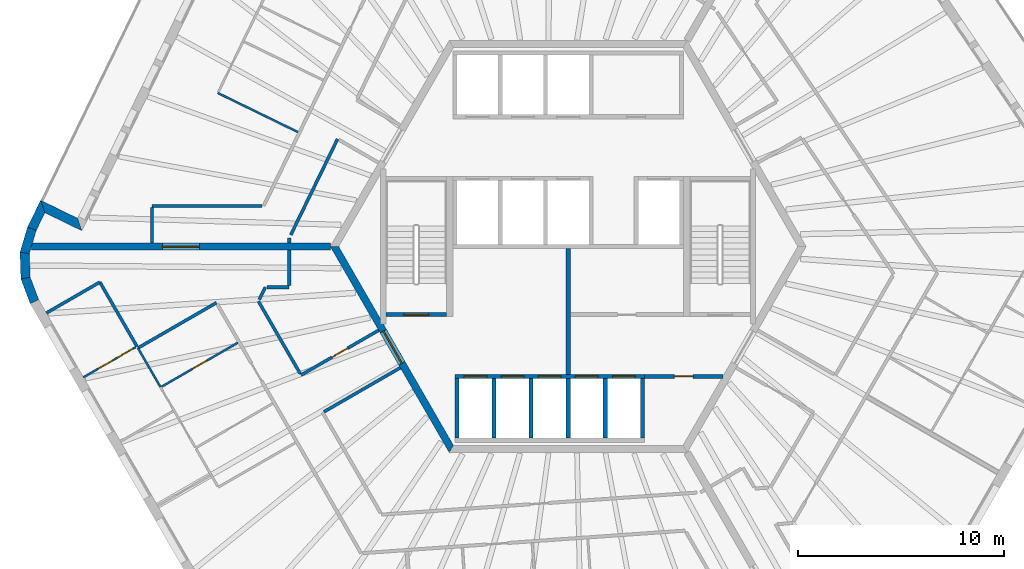
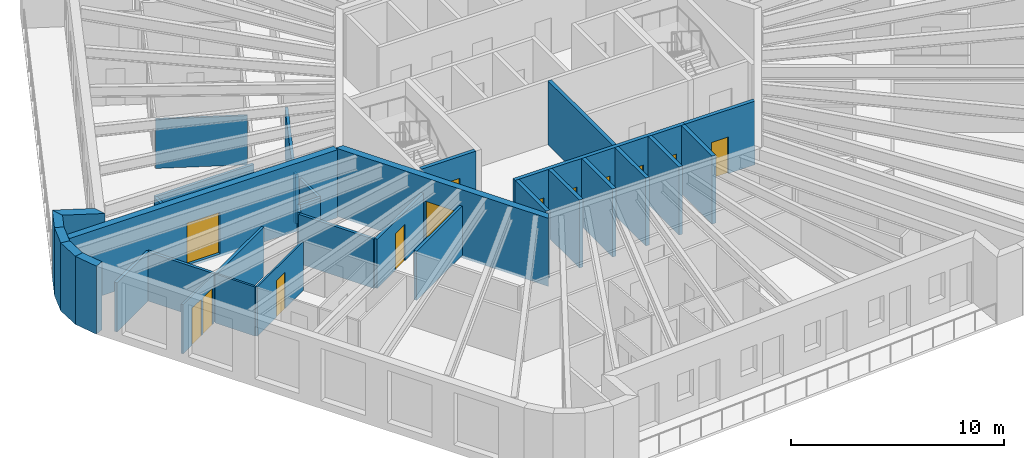
# One storey, part 4 of 11: 34 walls, 13 doors, 13 openings.
"""IFC4 building model written with IfcOpenShell, lengths in metres."""

from ifc_helpers import new_model, si_unit, direction, frame, frame_2d, origin, place, context, subcontext, project, spatial, polyline, rectangle, outline, extrude, material, layer, layer_set, type_object, element, fill, save


model = new_model("IFC4")

# Units and contexts
model_context = context("Model", 3, precision=1e-05, world=origin(), true_north=direction((0.0, 1.0)))
body_context = subcontext(model_context, "Body", "Model", "MODEL_VIEW")
ifc_project = project(units=[si_unit("LENGTHUNIT", "METRE"), si_unit("AREAUNIT", "SQUARE_METRE"), si_unit("VOLUMEUNIT", "CUBIC_METRE"), si_unit("PLANEANGLEUNIT", "RADIAN"), si_unit("MASSUNIT", "GRAM", prefix="KILO")], contexts=[model_context])

# Site, building, storey
site_placement = place(None, origin())
site = spatial("IfcSite", under=ifc_project, at=site_placement, CompositionType="ELEMENT")
building_placement = place(site_placement, origin())
building = spatial("IfcBuilding", under=site, at=building_placement, Name="Tarnside Tower", CompositionType="ELEMENT")
storey_placement = place(building_placement, frame((0.0, 0.0, 365.10009765625)))
storey = spatial("IfcBuildingStorey", under=building, at=storey_placement, Name="L88", CompositionType="ELEMENT", Elevation=365.10009765625)

# Wall, opening, door
ifc_material_1 = material(Name="Gypsum board partition on steel studs", Category="steel")
ifc_layer_1 = layer(ifc_material_1, 0.10009765625)
ifc_layer_set_1 = layer_set([ifc_layer_1], Name="Bathroom wall 100")
wall_type_1 = type_object("IfcWallType", Name="Bathroom wall 100", PredefinedType="PARTITIONING", material=ifc_layer_set_1)
wall_1_placement = place(storey_placement, frame((-16.03857421875, -4.67041015625, 0.0), z_axis=(0.0, 0.0, 1.0), x_axis=(-0.86604270489, -0.499970032409, 0.0)))
wall_1 = element("IfcWall", 1, at=wall_1_placement, inside=storey, type_object=wall_type_1, Name="Bathroom wall 28107", PredefinedType="PARTITIONING", context=body_context, shape_type="SweptSolid", body=[
    extrude(rectangle(XDim=4.324951171875, YDim=0.10009765625, at=frame_2d((2.16259765625, 0.0))), origin(), (0.0, 0.0, 1.0), 2.81982421875),
])
opening_1_placement = place(wall_1_placement, frame((1.72509765625, 0.0, 0.0)))
opening_1 = element("IfcOpeningElement", 2, at=opening_1_placement, cuts=wall_1, Name="Opening D-B1", PredefinedType="OPENING", context=body_context, shape_type="SweptSolid", body=[
    extrude(rectangle(XDim=0.800048828125, YDim=2.10009765625, at=frame_2d((0.39990234375, 1.050048828125))), frame((0.0, 0.06005859375, 0.0), z_axis=(0.0, -1.0, 0.0), x_axis=(1.0, 0.0, 0.0)), (0.0, 0.0, 1.0), 0.1201171875),
])
ifc_material_2 = material(Name="Timber door leaf", Category="wood")
door_type_1 = type_object("IfcDoorType", Name="Bathroom door 800", OperationType="NOTDEFINED", PredefinedType="DOOR", material=ifc_material_2)
door_1_placement = place(opening_1_placement, origin())
door_1 = element("IfcDoor", 3, at=door_1_placement, inside=storey, type_object=door_type_1, Name="Bathroom door 28027", OperationType="SINGLE_SWING_RIGHT", OverallHeight=2.10009765625, OverallWidth=0.800048828125, PredefinedType="DOOR", context=body_context, shape_type="SweptSolid", body=[
    extrude(rectangle(XDim=0.800048828125, YDim=2.10009765625, at=frame_2d((0.39990234375, 1.050048828125))), frame((0.0, 0.02490234375, 0.0), z_axis=(0.0, -1.0, 0.0), x_axis=(1.0, 0.0, 0.0)), (0.0, 0.0, 1.0), 0.050048828125),
])
fill(opening_1, door_1)

# Walls
wall_2_placement = place(storey_placement, frame((-20.88525390625, -4.92578125, 0.0), z_axis=(0.0, 0.0, 1.0), x_axis=(0.500039660922, -0.86600250433, 0.0)))
element("IfcWall", 4, at=wall_2_placement, inside=storey, type_object=wall_type_1, Name="Bathroom wall 28111", PredefinedType="PARTITIONING", context=body_context, shape_type="SweptSolid", body=[
    extrude(rectangle(XDim=2.154052734375, YDim=0.10009765625, at=frame_2d((1.0771484375, 0.0))), origin(), (0.0, 0.0, 1.0), 2.81982421875),
])
ifc_material_3 = material(Name="Concrete C40/50", Category="concrete")
ifc_layer_2 = layer(ifc_material_3, 0.199951171875)
ifc_layer_set_2 = layer_set([ifc_layer_2], Name="Core room partition 200 C40/50")
wall_type_2 = type_object("IfcWallType", Name="Core room partition 200 C40/50", PredefinedType="PARTITIONING", material=ifc_layer_set_2)
wall_3_placement = place(storey_placement, frame((0.0, -6.199951171875, 0.0), z_axis=(0.0, 0.0, 1.0), x_axis=(0.0, 1.0, 0.0)))
element("IfcWall", 5, at=wall_3_placement, inside=storey, type_object=wall_type_2, Name="L88 core partition X0", PredefinedType="PARTITIONING", context=body_context, shape_type="SweptSolid", body=[
    extrude(rectangle(XDim=6.099853515625, YDim=0.199951171875, at=frame_2d((3.0498046875, 0.0))), origin(), (0.0, 0.0, 1.0), 3.64990234375),
])

# Wall, opening, door
wall_4_placement = place(storey_placement, frame((3.699951171875, -6.300048828125, 0.0), z_axis=(0.0, 0.0, 1.0), x_axis=(1.0, 0.0, 0.0)))
wall_4 = element("IfcWall", 6, at=wall_4_placement, inside=storey, type_object=wall_type_2, Name="L88 core partition R4X", PredefinedType="PARTITIONING", context=body_context, shape_type="SweptSolid", body=[
    extrude(rectangle(XDim=3.8056640625, YDim=0.199951171875, at=frame_2d((1.90283203125, 0.0))), origin(), (0.0, 0.0, 1.0), 3.64990234375),
])
opening_2_placement = place(wall_4_placement, frame((1.452880859375, 0.0, 0.0)))
opening_2 = element("IfcOpeningElement", 7, at=opening_2_placement, cuts=wall_4, Name="Opening CD-room", PredefinedType="OPENING", context=body_context, shape_type="SweptSolid", body=[
    extrude(rectangle(XDim=0.89990234375, YDim=2.10009765625, at=frame_2d((0.449951171875, 1.050048828125))), frame((0.0, 0.10986328125, 0.0), z_axis=(0.0, -1.0, 0.0), x_axis=(1.0, 0.0, 0.0)), (0.0, 0.0, 1.0), 0.219970703125),
])
ifc_material_4 = material(Name="Steel fire door", Category="steel")
door_type_2 = type_object("IfcDoorType", Name="Room door FD60 900x2100", OperationType="NOTDEFINED", PredefinedType="DOOR", material=ifc_material_4)
door_2_placement = place(opening_2_placement, origin())
door_2 = element("IfcDoor", 8, at=door_2_placement, inside=storey, type_object=door_type_2, Name="L88 core room door RX", OperationType="SINGLE_SWING_LEFT", OverallHeight=2.10009765625, OverallWidth=0.89990234375, PredefinedType="DOOR", context=body_context, shape_type="SweptSolid", body=[
    extrude(rectangle(XDim=0.89990234375, YDim=2.10009765625, at=frame_2d((0.449951171875, 1.050048828125))), frame((0.0, 0.02490234375, 0.0), z_axis=(0.0, -1.0, 0.0), x_axis=(1.0, 0.0, 0.0)), (0.0, 0.0, 1.0), 0.050048828125),
])
fill(opening_2, door_2)

ifc_material_5 = material(Name="Concrete C50/60", Category="concrete")
ifc_layer_3 = layer(ifc_material_5, 0.35009765625)
ifc_layer_set_3 = layer_set([ifc_layer_3], Name="Core wall Z4 350 C50/60")
wall_type_3 = type_object("IfcWallType", Name="Core wall Z4 350 C50/60", PredefinedType="SHEAR", material=ifc_layer_set_3)
wall_5_placement = place(storey_placement, frame((-11.344970703125, 0.0, -0.150146484375), z_axis=(0.0, 0.0, 1.0), x_axis=(0.499995046907, -0.866028263435, 0.0)))
wall_5 = element("IfcWall", 9, at=wall_5_placement, inside=storey, type_object=wall_type_3, Name="L88 core wall face 3", PredefinedType="SHEAR", context=body_context, shape_type="SweptSolid", body=[
    extrude(outline(polyline([(-0.10107421875, -0.175048828125), (11.44580078125, -0.175048828125), (11.24365234375, 0.175048828125), (0.10107421875, 0.175048828125), (-0.10107421875, -0.175048828125)])), origin(), (0.0, 0.0, 1.0), 3.900146484375),
])
opening_3_placement = place(wall_5_placement, frame((4.74365234375, 0.0, 0.14990234375)))
opening_3 = element("IfcOpeningElement", 10, at=opening_3_placement, cuts=wall_5, Name="Opening CD-FFL", PredefinedType="OPENING", context=body_context, shape_type="SweptSolid", body=[
    extrude(rectangle(XDim=1.800048828125, YDim=2.39990234375, at=frame_2d((0.89990234375, 1.199951171875))), frame((0.0, 0.18505859375, 0.0), z_axis=(0.0, -1.0, 0.0), x_axis=(1.0, 0.0, 0.0)), (0.0, 0.0, 1.0), 0.3701171875),
])
door_type_3 = type_object("IfcDoorType", Name="Firefighting lobby double door FD60S 1800x2400", OperationType="NOTDEFINED", PredefinedType="DOOR", material=ifc_material_4)
door_3_placement = place(opening_3_placement, origin())
door_3 = element("IfcDoor", 11, at=door_3_placement, inside=storey, type_object=door_type_3, Name="L88 core door P3", OperationType="DOUBLE_DOOR_SINGLE_SWING", OverallHeight=2.39990234375, OverallWidth=1.800048828125, PredefinedType="DOOR", context=body_context, shape_type="SweptSolid", body=[
    extrude(rectangle(XDim=1.800048828125, YDim=2.39990234375, at=frame_2d((0.89990234375, 1.199951171875))), frame((0.0, 0.02490234375, 0.0), z_axis=(0.0, -1.0, 0.0), x_axis=(1.0, 0.0, 0.0)), (0.0, 0.0, 1.0), 0.050048828125),
])
fill(opening_3, door_3)

wall_6_placement = place(storey_placement, frame((-11.547119140625, 0.0, -0.150146484375), z_axis=(0.0, 0.0, 1.0), x_axis=(-1.0, 0.0, 0.0)))
wall_6 = element("IfcWall", 12, at=wall_6_placement, inside=storey, type_object=wall_type_3, Name="L88 spine wall 2", PredefinedType="SHEAR", context=body_context, shape_type="SweptSolid", body=[
    extrude(rectangle(XDim=14.510498046875, YDim=0.35009765625, at=frame_2d((7.25537109375, 0.0))), origin(), (0.0, 0.0, 1.0), 3.900146484375),
])
opening_4_placement = place(wall_6_placement, frame((6.355224609375, 0.0, 0.14990234375)))
opening_4 = element("IfcOpeningElement", 13, at=opening_4_placement, cuts=wall_6, Name="Opening CD-SPN", PredefinedType="OPENING", context=body_context, shape_type="SweptSolid", body=[
    extrude(rectangle(XDim=1.800048828125, YDim=2.39990234375, at=frame_2d((0.89990234375, 1.199951171875))), frame((0.0, 0.18505859375, 0.0), z_axis=(0.0, -1.0, 0.0), x_axis=(1.0, 0.0, 0.0)), (0.0, 0.0, 1.0), 0.3701171875),
])
door_type_4 = type_object("IfcDoorType", Name="Spine passage double door FD60 1800x2400", OperationType="NOTDEFINED", PredefinedType="DOOR", material=ifc_material_4)
door_4_placement = place(opening_4_placement, origin())
door_4 = element("IfcDoor", 14, at=door_4_placement, inside=storey, type_object=door_type_4, Name="L88 spine passage door 2", OperationType="DOUBLE_DOOR_SINGLE_SWING", OverallHeight=2.39990234375, OverallWidth=1.800048828125, PredefinedType="DOOR", context=body_context, shape_type="SweptSolid", body=[
    extrude(rectangle(XDim=1.800048828125, YDim=2.39990234375, at=frame_2d((0.89990234375, 1.199951171875))), frame((0.0, 0.02490234375, 0.0), z_axis=(0.0, -1.0, 0.0), x_axis=(1.0, 0.0, 0.0)), (0.0, 0.0, 1.0), 0.050048828125),
])
fill(opening_4, door_4)

# Walls
ifc_layer_4 = layer(ifc_material_1, 0.14990234375)
ifc_layer_set_4 = layer_set([ifc_layer_4], Name="Corridor wall 150 EI 60")
wall_type_4 = type_object("IfcWallType", Name="Corridor wall 150 EI 60", PredefinedType="PARTITIONING", material=ifc_layer_set_4)
wall_7_placement = place(storey_placement, frame((-14.863525390625, 1.97509765625, 0.0), z_axis=(0.0, 0.0, 1.0), x_axis=(-1.0, 0.0, 0.0)))
element("IfcWall", 15, at=wall_7_placement, inside=storey, type_object=wall_type_4, Name="Corridor wall 28011", PredefinedType="PARTITIONING", context=body_context, shape_type="SweptSolid", body=[
    extrude(rectangle(XDim=5.3388671875, YDim=0.14990234375, at=frame_2d((2.66943359375, 0.0))), origin(), (0.0, 0.0, 1.0), 2.81982421875),
])
wall_8_placement = place(storey_placement, frame((-20.202392578125, 1.89990234375, 0.0), z_axis=(0.0, 0.0, 1.0), x_axis=(0.0, -1.0, 0.0)))
element("IfcWall", 16, at=wall_8_placement, inside=storey, type_object=wall_type_4, Name="Corridor wall 28012", PredefinedType="PARTITIONING", context=body_context, shape_type="SweptSolid", body=[
    extrude(rectangle(XDim=1.724853515625, YDim=0.14990234375, at=frame_2d((0.8623046875, 0.0))), origin(), (0.0, 0.0, 1.0), 2.81982421875),
])
wall_9_placement = place(storey_placement, frame((-13.54052734375, 0.175048828125, 0.0), z_axis=(0.0, 0.0, 1.0), x_axis=(0.0, 1.0, 0.0)))
element("IfcWall", 17, at=wall_9_placement, inside=storey, type_object=wall_type_4, Name="Corridor wall 28017", PredefinedType="PARTITIONING", context=body_context, shape_type="SweptSolid", body=[
    extrude(rectangle(XDim=0.235107421875, YDim=0.14990234375, at=frame_2d((0.11767578125, 0.0))), origin(), (0.0, 0.0, 1.0), 2.81982421875),
])
wall_10_placement = place(storey_placement, frame((-13.465576171875, 0.563720703125, 0.0), z_axis=(0.0, 0.0, 1.0), x_axis=(0.438366040624, 0.898796536724, 0.0)))
element("IfcWall", 18, at=wall_10_placement, inside=storey, type_object=wall_type_4, Name="Corridor wall 28018", PredefinedType="PARTITIONING", context=body_context, shape_type="SweptSolid", body=[
    extrude(rectangle(XDim=5.178466796875, YDim=0.14990234375, at=frame_2d((2.58935546875, 0.0))), origin(), (0.0, 0.0, 1.0), 2.81982421875),
])
wall_11_placement = place(storey_placement, frame((-20.88427734375, -4.927490234375, 0.0), z_axis=(0.0, 0.0, 1.0), x_axis=(0.866032203192, 0.499988222896, 0.0)))
element("IfcWall", 19, at=wall_11_placement, inside=storey, type_object=wall_type_4, Name="Corridor wall 28029", PredefinedType="PARTITIONING", context=body_context, shape_type="SweptSolid", body=[
    extrude(rectangle(XDim=4.39990234375, YDim=0.14990234375, at=frame_2d((2.199951171875, 0.0))), origin(), (0.0, 0.0, 1.0), 2.81982421875),
])
wall_12_placement = place(storey_placement, frame((-25.3291015625, -3.228759765625, 0.0), z_axis=(0.0, 0.0, 1.0), x_axis=(0.865999837459, 0.50004427956, 0.0)))
element("IfcWall", 20, at=wall_12_placement, inside=storey, type_object=wall_type_4, Name="Corridor wall 28031", PredefinedType="PARTITIONING", context=body_context, shape_type="SweptSolid", body=[
    extrude(rectangle(XDim=2.998779296875, YDim=0.14990234375, at=frame_2d((1.49951171875, 0.0))), origin(), (0.0, 0.0, 1.0), 2.81982421875),
])
wall_13_placement = place(storey_placement, frame((-22.73046875, -1.729736328125, 0.0), z_axis=(0.0, 0.0, 1.0), x_axis=(0.500027802648, -0.866009351323, 0.0)))
element("IfcWall", 21, at=wall_13_placement, inside=storey, type_object=wall_type_4, Name="Corridor wall 28032", PredefinedType="PARTITIONING", context=body_context, shape_type="SweptSolid", body=[
    extrude(rectangle(XDim=3.598876953125, YDim=0.14990234375, at=frame_2d((1.79931640625, 0.0))), origin(), (0.0, 0.0, 1.0), 2.81982421875),
])

# Wall, opening, door
wall_14_placement = place(storey_placement, frame((-9.19970703125, -4.065673828125, 0.0), z_axis=(0.0, 0.0, 1.0), x_axis=(-0.866013608182, -0.500020430026, 0.0)))
wall_14 = element("IfcWall", 22, at=wall_14_placement, inside=storey, type_object=wall_type_4, Name="Corridor wall 28040", PredefinedType="PARTITIONING", context=body_context, shape_type="SweptSolid", body=[
    extrude(rectangle(XDim=4.349853515625, YDim=0.14990234375, at=frame_2d((2.1748046875, 0.0))), origin(), (0.0, 0.0, 1.0), 2.81982421875),
])
opening_5_placement = place(wall_14_placement, frame((1.72509765625, 0.0, 0.0)))
opening_5 = element("IfcOpeningElement", 23, at=opening_5_placement, cuts=wall_14, Name="Opening D-S1", PredefinedType="OPENING", context=body_context, shape_type="SweptSolid", body=[
    extrude(rectangle(XDim=0.89990234375, YDim=2.10009765625, at=frame_2d((0.449951171875, 1.050048828125))), frame((0.0, 0.0849609375, 0.0), z_axis=(0.0, -1.0, 0.0), x_axis=(1.0, 0.0, 0.0)), (0.0, 0.0, 1.0), 0.169921875),
])
door_type_5 = type_object("IfcDoorType", Name="Service room door 900 FD30S", OperationType="NOTDEFINED", PredefinedType="DOOR", material=ifc_material_2)
door_5_placement = place(opening_5_placement, origin())
door_5 = element("IfcDoor", 24, at=door_5_placement, inside=storey, type_object=door_type_5, Name="Service door 28065", OperationType="SINGLE_SWING_LEFT", OverallHeight=2.10009765625, OverallWidth=0.89990234375, PredefinedType="DOOR", context=body_context, shape_type="SweptSolid", body=[
    extrude(rectangle(XDim=0.89990234375, YDim=2.10009765625, at=frame_2d((0.449951171875, 1.050048828125))), frame((0.0, 0.02490234375, 0.0), z_axis=(0.0, -1.0, 0.0), x_axis=(1.0, 0.0, 0.0)), (0.0, 0.0, 1.0), 0.050048828125),
])
fill(opening_5, door_5)

# Walls
wall_15_placement = place(storey_placement, frame((-13.00439453125, -6.17578125, 0.0), z_axis=(0.0, 0.0, 1.0), x_axis=(-0.500022342669, 0.866012503854, 0.0)))
element("IfcWall", 25, at=wall_15_placement, inside=storey, type_object=wall_type_4, Name="Corridor wall 28041", PredefinedType="PARTITIONING", context=body_context, shape_type="SweptSolid", body=[
    extrude(rectangle(XDim=4.063720703125, YDim=0.14990234375, at=frame_2d((2.03173828125, 0.0))), origin(), (0.0, 0.0, 1.0), 2.81982421875),
])
wall_16_placement = place(storey_placement, frame((-14.99658203125, -2.5751953125, 0.0), z_axis=(0.0, 0.0, 1.0), x_axis=(0.438416427913, 0.898771959808, 0.0)))
element("IfcWall", 26, at=wall_16_placement, inside=storey, type_object=wall_type_4, Name="Corridor wall 28042", PredefinedType="PARTITIONING", context=body_context, shape_type="SweptSolid", body=[
    extrude(rectangle(XDim=0.667724609375, YDim=0.14990234375, at=frame_2d((0.333984375, 0.0))), origin(), (0.0, 0.0, 1.0), 2.81982421875),
])
wall_17_placement = place(storey_placement, frame((-14.620361328125, -1.97509765625, 0.0), z_axis=(0.0, 0.0, 1.0), x_axis=(1.0, 0.0, 0.0)))
element("IfcWall", 27, at=wall_17_placement, inside=storey, type_object=wall_type_4, Name="Corridor wall 28043", PredefinedType="PARTITIONING", context=body_context, shape_type="SweptSolid", body=[
    extrude(rectangle(XDim=1.079833984375, YDim=0.14990234375, at=frame_2d((0.5400390625, 0.0))), origin(), (0.0, 0.0, 1.0), 2.81982421875),
])
wall_18_placement = place(storey_placement, frame((-13.54052734375, -1.89990234375, 0.0), z_axis=(0.0, 0.0, 1.0), x_axis=(0.0, 1.0, 0.0)))
element("IfcWall", 28, at=wall_18_placement, inside=storey, type_object=wall_type_4, Name="Corridor wall 28044", PredefinedType="PARTITIONING", context=body_context, shape_type="SweptSolid", body=[
    extrude(rectangle(XDim=1.724853515625, YDim=0.14990234375, at=frame_2d((0.8623046875, 0.0))), origin(), (0.0, 0.0, 1.0), 2.81982421875),
])
wall_19_placement = place(storey_placement, frame((-11.85205078125, -8.021728515625, 0.0), z_axis=(0.0, 0.0, 1.0), x_axis=(0.866038183914, 0.499977863513, 0.0)))
element("IfcWall", 29, at=wall_19_placement, inside=storey, type_object=wall_type_4, Name="Corridor wall 28048", PredefinedType="PARTITIONING", context=body_context, shape_type="SweptSolid", body=[
    extrude(rectangle(XDim=4.275146484375, YDim=0.14990234375, at=frame_2d((2.1376953125, 0.0))), origin(), (0.0, 0.0, 1.0), 2.81982421875),
])

# Wall, openings, doors
ifc_layer_5 = layer(ifc_material_3, 0.199951171875)
ifc_layer_set_5 = layer_set([ifc_layer_5], Name="Lift shaft wall 200 C40/50")
wall_type_5 = type_object("IfcWallType", Name="Lift shaft wall 200 C40/50", PredefinedType="SHEAR", material=ifc_layer_set_5)
wall_20_placement = place(storey_placement, frame((-5.5, -6.300048828125, -0.25), z_axis=(0.0, 0.0, 1.0), x_axis=(1.0, 0.0, 0.0)))
wall_20 = element("IfcWall", 30, at=wall_20_placement, inside=storey, type_object=wall_type_5, Name="L88 lift shaft front wall R4", PredefinedType="SHEAR", context=body_context, shape_type="SweptSolid", body=[
    extrude(rectangle(XDim=9.199951171875, YDim=0.199951171875, at=frame_2d((4.60009765625, 0.0))), origin(), (0.0, 0.0, 1.0), 3.89990234375),
])
opening_6_placement = place(wall_20_placement, frame((0.449951171875, 0.0, 0.25)))
opening_6 = element("IfcOpeningElement", 31, at=opening_6_placement, cuts=wall_20, Name="Opening LDF", PredefinedType="OPENING", context=body_context, shape_type="SweptSolid", body=[
    extrude(rectangle(XDim=1.10009765625, YDim=2.10009765625, at=frame_2d((0.550048828125, 1.050048828125))), frame((0.0, 0.10986328125, 0.0), z_axis=(0.0, -1.0, 0.0), x_axis=(1.0, 0.0, 0.0)), (0.0, 0.0, 1.0), 0.219970703125),
])
opening_7_placement = place(wall_20_placement, frame((2.25, 0.0, 0.25)))
opening_7 = element("IfcOpeningElement", 32, at=opening_7_placement, cuts=wall_20, Name="Opening LDF", PredefinedType="OPENING", context=body_context, shape_type="SweptSolid", body=[
    extrude(rectangle(XDim=1.10009765625, YDim=2.10009765625, at=frame_2d((0.550048828125, 1.050048828125))), frame((0.0, 0.10986328125, 0.0), z_axis=(0.0, -1.0, 0.0), x_axis=(1.0, 0.0, 0.0)), (0.0, 0.0, 1.0), 0.219970703125),
])
opening_8_placement = place(wall_20_placement, frame((4.050048828125, 0.0, 0.25)))
opening_8 = element("IfcOpeningElement", 33, at=opening_8_placement, cuts=wall_20, Name="Opening LDF", PredefinedType="OPENING", context=body_context, shape_type="SweptSolid", body=[
    extrude(rectangle(XDim=1.10009765625, YDim=2.10009765625, at=frame_2d((0.550048828125, 1.050048828125))), frame((0.0, 0.10986328125, 0.0), z_axis=(0.0, -1.0, 0.0), x_axis=(1.0, 0.0, 0.0)), (0.0, 0.0, 1.0), 0.219970703125),
])
opening_9_placement = place(wall_20_placement, frame((5.85009765625, 0.0, 0.25)))
opening_9 = element("IfcOpeningElement", 34, at=opening_9_placement, cuts=wall_20, Name="Opening LDF", PredefinedType="OPENING", context=body_context, shape_type="SweptSolid", body=[
    extrude(rectangle(XDim=1.10009765625, YDim=2.10009765625, at=frame_2d((0.550048828125, 1.050048828125))), frame((0.0, 0.10986328125, 0.0), z_axis=(0.0, -1.0, 0.0), x_axis=(1.0, 0.0, 0.0)), (0.0, 0.0, 1.0), 0.219970703125),
])
opening_10_placement = place(wall_20_placement, frame((7.64990234375, 0.0, 0.25)))
opening_10 = element("IfcOpeningElement", 35, at=opening_10_placement, cuts=wall_20, Name="Opening LDF", PredefinedType="OPENING", context=body_context, shape_type="SweptSolid", body=[
    extrude(rectangle(XDim=1.10009765625, YDim=2.10009765625, at=frame_2d((0.550048828125, 1.050048828125))), frame((0.0, 0.10986328125, 0.0), z_axis=(0.0, -1.0, 0.0), x_axis=(1.0, 0.0, 0.0)), (0.0, 0.0, 1.0), 0.219970703125),
])
ifc_material_6 = material(Name="Stainless steel", Category="steel")
door_type_6 = type_object("IfcDoorType", Name="Lift landing door 1100x2100 EI 120", OperationType="NOTDEFINED", PredefinedType="DOOR", material=ifc_material_6)
door_6_placement = place(opening_6_placement, origin())
door_6 = element("IfcDoor", 36, at=door_6_placement, inside=storey, type_object=door_type_6, Name="Firefighting lift 1 landing door L88", OperationType="SLIDING_TO_LEFT", OverallHeight=2.10009765625, OverallWidth=1.10009765625, PredefinedType="DOOR", context=body_context, shape_type="SweptSolid", body=[
    extrude(rectangle(XDim=1.10009765625, YDim=2.10009765625, at=frame_2d((0.550048828125, 1.050048828125))), frame((0.0, 0.02490234375, 0.0), z_axis=(0.0, -1.0, 0.0), x_axis=(1.0, 0.0, 0.0)), (0.0, 0.0, 1.0), 0.050048828125),
])
fill(opening_6, door_6)
door_7_placement = place(opening_7_placement, origin())
door_7 = element("IfcDoor", 37, at=door_7_placement, inside=storey, type_object=door_type_6, Name="Firefighting lift 2 landing door L88", OperationType="SLIDING_TO_LEFT", OverallHeight=2.10009765625, OverallWidth=1.10009765625, PredefinedType="DOOR", context=body_context, shape_type="SweptSolid", body=[
    extrude(rectangle(XDim=1.10009765625, YDim=2.10009765625, at=frame_2d((0.550048828125, 1.050048828125))), frame((0.0, 0.02490234375, 0.0), z_axis=(0.0, -1.0, 0.0), x_axis=(1.0, 0.0, 0.0)), (0.0, 0.0, 1.0), 0.050048828125),
])
fill(opening_7, door_7)
door_8_placement = place(opening_8_placement, origin())
door_8 = element("IfcDoor", 38, at=door_8_placement, inside=storey, type_object=door_type_6, Name="Firefighting lift 3 landing door L88", OperationType="SLIDING_TO_LEFT", OverallHeight=2.10009765625, OverallWidth=1.10009765625, PredefinedType="DOOR", context=body_context, shape_type="SweptSolid", body=[
    extrude(rectangle(XDim=1.10009765625, YDim=2.10009765625, at=frame_2d((0.550048828125, 1.050048828125))), frame((0.0, 0.02490234375, 0.0), z_axis=(0.0, -1.0, 0.0), x_axis=(1.0, 0.0, 0.0)), (0.0, 0.0, 1.0), 0.050048828125),
])
fill(opening_8, door_8)
door_9_placement = place(opening_9_placement, origin())
door_9 = element("IfcDoor", 39, at=door_9_placement, inside=storey, type_object=door_type_6, Name="Firefighting lift 4 landing door L88", OperationType="SLIDING_TO_LEFT", OverallHeight=2.10009765625, OverallWidth=1.10009765625, PredefinedType="DOOR", context=body_context, shape_type="SweptSolid", body=[
    extrude(rectangle(XDim=1.10009765625, YDim=2.10009765625, at=frame_2d((0.550048828125, 1.050048828125))), frame((0.0, 0.02490234375, 0.0), z_axis=(0.0, -1.0, 0.0), x_axis=(1.0, 0.0, 0.0)), (0.0, 0.0, 1.0), 0.050048828125),
])
fill(opening_9, door_9)
door_10_placement = place(opening_10_placement, origin())
door_10 = element("IfcDoor", 40, at=door_10_placement, inside=storey, type_object=door_type_6, Name="Firefighting lift 5 landing door L88", OperationType="SLIDING_TO_LEFT", OverallHeight=2.10009765625, OverallWidth=1.10009765625, PredefinedType="DOOR", context=body_context, shape_type="SweptSolid", body=[
    extrude(rectangle(XDim=1.10009765625, YDim=2.10009765625, at=frame_2d((0.550048828125, 1.050048828125))), frame((0.0, 0.02490234375, 0.0), z_axis=(0.0, -1.0, 0.0), x_axis=(1.0, 0.0, 0.0)), (0.0, 0.0, 1.0), 0.050048828125),
])
fill(opening_10, door_10)

# Walls
for number, where, z_axis, x_axis, name in (
    (41, (-5.39990234375, -9.300048828125, -0.25), (0.0, 0.0, 1.0), (0.0, 1.0, 0.0), "L88 lift shaft partition R41"),
    (42, (-3.60009765625, -9.300048828125, -0.25), (0.0, 0.0, 1.0), (0.0, 1.0, 0.0), "L88 lift shaft partition R42"),
    (43, (-1.800048828125, -9.300048828125, -0.25), (0.0, 0.0, 1.0), (0.0, 1.0, 0.0), "L88 lift shaft partition R43"),
    (44, (0.0, -9.300048828125, -0.25), (0.0, 0.0, 1.0), (0.0, 1.0, 0.0), "L88 lift shaft partition R44"),
    (45, (1.800048828125, -9.300048828125, -0.25), (0.0, 0.0, 1.0), (0.0, 1.0, 0.0), "L88 lift shaft partition R45"),
    (46, (3.60009765625, -9.300048828125, -0.25), (0.0, 0.0, 1.0), (0.0, 1.0, 0.0), "L88 lift shaft partition R46"),
):
    element("IfcWall", number, at=place(storey_placement, frame(where, z_axis=z_axis, x_axis=x_axis)), inside=storey, type_object=wall_type_5, Name=name, PredefinedType="SHEAR", context=body_context, shape_type="SweptSolid", body=[
        extrude(rectangle(XDim=2.900146484375, YDim=0.199951171875, at=frame_2d((1.4501953125, 0.0))), origin(), (0.0, 0.0, 1.0), 3.89990234375),
    ])

# Wall, opening, door
wall_21_placement = place(storey_placement, frame((-8.85009765625, -3.300048828125, -0.25), z_axis=(0.0, 0.0, 1.0), x_axis=(1.0, 0.0, 0.0)))
wall_21 = element("IfcWall", 47, at=wall_21_placement, inside=storey, type_object=wall_type_5, Name="L88 stair 2 enclosure cap wall s", PredefinedType="SHEAR", context=body_context, shape_type="SweptSolid", body=[
    extrude(rectangle(XDim=2.9501953125, YDim=0.199951171875, at=frame_2d((1.47509765625, 0.0))), origin(), (0.0, 0.0, 1.0), 3.89990234375),
])
opening_11_placement = place(wall_21_placement, frame((0.875, 0.0, 0.25)))
opening_11 = element("IfcOpeningElement", 48, at=opening_11_placement, cuts=wall_21, Name="Opening CD-STR", PredefinedType="OPENING", context=body_context, shape_type="SweptSolid", body=[
    extrude(rectangle(XDim=1.199951171875, YDim=2.39990234375, at=frame_2d((0.60009765625, 1.199951171875))), frame((0.0, 0.10986328125, 0.0), z_axis=(0.0, -1.0, 0.0), x_axis=(1.0, 0.0, 0.0)), (0.0, 0.0, 1.0), 0.219970703125),
])
door_type_7 = type_object("IfcDoorType", Name="Stair door FD60S 1200x2400", OperationType="NOTDEFINED", PredefinedType="DOOR", material=ifc_material_4)
door_11_placement = place(opening_11_placement, origin())
door_11 = element("IfcDoor", 49, at=door_11_placement, inside=storey, type_object=door_type_7, Name="L88 stair 2 door", OperationType="SINGLE_SWING_LEFT", OverallHeight=2.39990234375, OverallWidth=1.199951171875, PredefinedType="DOOR", context=body_context, shape_type="SweptSolid", body=[
    extrude(rectangle(XDim=1.199951171875, YDim=2.39990234375, at=frame_2d((0.60009765625, 1.199951171875))), frame((0.0, 0.02490234375, 0.0), z_axis=(0.0, -1.0, 0.0), x_axis=(1.0, 0.0, 0.0)), (0.0, 0.0, 1.0), 0.050048828125),
])
fill(opening_11, door_11)

# Walls
ifc_material_7 = material(Name="Dark zinc cladding")
ifc_layer_6 = layer(ifc_material_7, 0.10205078125)
ifc_material_8 = material(Name="Concrete C60/75 precast", Category="concrete")
ifc_layer_7 = layer(ifc_material_8, 0.248046875)
ifc_material_9 = material(Name="Mineral wool insulation")
ifc_layer_8 = layer(ifc_material_9, 0.10009765625)
ifc_layer_set_6 = layer_set([ifc_layer_6, ifc_layer_7, ifc_layer_8], Name="Loggia wall 450 zinc faced")
wall_type_6 = type_object("IfcWallType", Name="Loggia wall 450 zinc faced", PredefinedType="SOLIDWALL", material=ifc_layer_set_6)
wall_22_placement = place(storey_placement, frame((-23.70703125, 1.066162109375, -0.150146484375), z_axis=(0.0, 0.0, 1.0), x_axis=(-0.898779005228, 0.438401984213, 0.0)))
element("IfcWall", 50, at=wall_22_placement, inside=storey, type_object=wall_type_6, Name="Tube wall L88 F2 return 07", PredefinedType="SOLIDWALL", context=body_context, shape_type="SweptSolid", body=[
    extrude(outline(polyline([(0.224853515625, -0.22509765625), (2.224609375, -0.22509765625), (1.77490234375, 0.22509765625), (-0.224853515625, 0.22509765625), (0.224853515625, -0.22509765625)])), origin(), (0.0, 0.0, 1.0), 3.900146484375),
])
wall_23_placement = place(storey_placement, frame((-25.50439453125, 1.94287109375, -0.150146484375), z_axis=(0.0, 0.0, 1.0), x_axis=(-0.43840359141, -0.898778221275, 0.0)))
element("IfcWall", 51, at=wall_23_placement, inside=storey, type_object=wall_type_6, Name="Tube wall L88 F2 stub 08", PredefinedType="SOLIDWALL", context=body_context, shape_type="SweptSolid", body=[
    extrude(outline(polyline([(-0.224853515625, -0.22509765625), (1.218505859375, -0.22509765625), (1.181884765625, 0.22509765625), (0.224853515625, 0.22509765625), (-0.224853515625, -0.22509765625)])), origin(), (0.0, 0.0, 1.0), 3.900146484375),
])
ifc_layer_9 = layer(ifc_material_1, 0.10009765625)
ifc_layer_set_7 = layer_set([ifc_layer_9], Name="Partition 100")
wall_type_7 = type_object("IfcWallType", Name="Partition 100", PredefinedType="PARTITIONING", material=ifc_layer_set_7)
wall_24_placement = place(storey_placement, frame((-13.11767578125, 5.554443359375, 0.0), z_axis=(0.0, 0.0, 1.0), x_axis=(-0.898786890582, 0.438385817879, 0.0)))
element("IfcWall", 52, at=wall_24_placement, inside=storey, type_object=wall_type_7, Name="Partition wall 28091", PredefinedType="PARTITIONING", context=body_context, shape_type="SweptSolid", body=[
    extrude(rectangle(XDim=4.324951171875, YDim=0.10009765625, at=frame_2d((2.16259765625, 0.0))), origin(), (0.0, 0.0, 1.0), 2.81982421875),
])

# Wall, openings, doors
wall_25_placement = place(storey_placement, frame((-23.529052734375, -6.346435546875, 0.0), z_axis=(0.0, 0.0, 1.0), x_axis=(0.866025730634, 0.499999433879, 0.0)))
wall_25 = element("IfcWall", 53, at=wall_25_placement, inside=storey, type_object=wall_type_7, Name="Partition wall 28112", PredefinedType="PARTITIONING", context=body_context, shape_type="SweptSolid", body=[
    extrude(rectangle(XDim=2.9248046875, YDim=0.10009765625, at=frame_2d((1.46240234375, 0.0))), origin(), (0.0, 0.0, 1.0), 2.81982421875),
])
opening_12_placement = place(wall_25_placement, frame((1.875, 0.0, 0.0)))
opening_12 = element("IfcOpeningElement", 54, at=opening_12_placement, cuts=wall_25, Name="Opening D-I1", PredefinedType="OPENING", context=body_context, shape_type="SweptSolid", body=[
    extrude(rectangle(XDim=0.89990234375, YDim=2.10009765625, at=frame_2d((0.449951171875, 1.050048828125))), frame((0.0, 0.06005859375, 0.0), z_axis=(0.0, -1.0, 0.0), x_axis=(1.0, 0.0, 0.0)), (0.0, 0.0, 1.0), 0.1201171875),
])
opening_13_placement = place(wall_25_placement, frame((0.824951171875, 0.0, 0.0)))
opening_13 = element("IfcOpeningElement", 55, at=opening_13_placement, cuts=wall_25, Name="Opening D-I1", PredefinedType="OPENING", context=body_context, shape_type="SweptSolid", body=[
    extrude(rectangle(XDim=0.89990234375, YDim=2.10009765625, at=frame_2d((0.449951171875, 1.050048828125))), frame((0.0, 0.06005859375, 0.0), z_axis=(0.0, -1.0, 0.0), x_axis=(1.0, 0.0, 0.0)), (0.0, 0.0, 1.0), 0.1201171875),
])
door_type_8 = type_object("IfcDoorType", Name="Internal door 900", OperationType="NOTDEFINED", PredefinedType="DOOR", material=ifc_material_2)
door_12_placement = place(opening_12_placement, origin())
door_12 = element("IfcDoor", 56, at=door_12_placement, inside=storey, type_object=door_type_8, Name="Internal door 28033", OperationType="SINGLE_SWING_RIGHT", OverallHeight=2.10009765625, OverallWidth=0.89990234375, PredefinedType="DOOR", context=body_context, shape_type="SweptSolid", body=[
    extrude(rectangle(XDim=0.89990234375, YDim=2.10009765625, at=frame_2d((0.449951171875, 1.050048828125))), frame((0.0, 0.02490234375, 0.0), z_axis=(0.0, -1.0, 0.0), x_axis=(1.0, 0.0, 0.0)), (0.0, 0.0, 1.0), 0.050048828125),
])
fill(opening_12, door_12)
door_13_placement = place(opening_13_placement, origin())
door_13 = element("IfcDoor", 57, at=door_13_placement, inside=storey, type_object=door_type_8, Name="Internal door 28036", OperationType="SINGLE_SWING_RIGHT", OverallHeight=2.10009765625, OverallWidth=0.89990234375, PredefinedType="DOOR", context=body_context, shape_type="SweptSolid", body=[
    extrude(rectangle(XDim=0.89990234375, YDim=2.10009765625, at=frame_2d((0.449951171875, 1.050048828125))), frame((0.0, 0.02490234375, 0.0), z_axis=(0.0, -1.0, 0.0), x_axis=(1.0, 0.0, 0.0)), (0.0, 0.0, 1.0), 0.050048828125),
])
fill(opening_13, door_13)

# Walls
ifc_material_10 = material(Name="Facing brick", Category="masonry")
ifc_layer_10 = layer(ifc_material_10, 0.10205078125)
ifc_layer_11 = layer(ifc_material_8, 0.248046875)
ifc_layer_12 = layer(ifc_material_9, 0.10009765625)
ifc_layer_set_8 = layer_set([ifc_layer_10, ifc_layer_11, ifc_layer_12], Name="Tube wall 450 brick faced")
wall_type_8 = type_object("IfcWallType", Name="Tube wall 450 brick faced", PredefinedType="SOLIDWALL", material=ifc_layer_set_8)
wall_26_placement = place(storey_placement, frame((-26.030517578125, 0.8642578125, -0.150146484375), z_axis=(0.0, 0.0, 1.0), x_axis=(-0.286945389156, -0.957946941977, 0.0)))
element("IfcWall", 58, at=wall_26_placement, inside=storey, type_object=wall_type_8, Name="Tube wall L88 F2 chord 09", PredefinedType="SOLIDWALL", context=body_context, shape_type="SweptSolid", body=[
    extrude(outline(polyline([(-0.018310546875, -0.22509765625), (1.26123046875, -0.22509765625), (1.1875, 0.22509765625), (0.018310546875, 0.22509765625), (-0.018310546875, -0.22509765625)])), origin(), (0.0, 0.0, 1.0), 3.900146484375),
])
wall_27_placement = place(storey_placement, frame((-26.3818359375, -0.30859375, -0.150146484375), z_axis=(0.0, 0.0, 1.0), x_axis=(0.034887984255, -0.999391228976, 0.0)))
element("IfcWall", 59, at=wall_27_placement, inside=storey, type_object=wall_type_8, Name="Tube wall L88 F2 chord 10", PredefinedType="SOLIDWALL", context=body_context, shape_type="SweptSolid", body=[
    extrude(outline(polyline([(-0.036865234375, -0.22509765625), (1.261474609375, -0.22509765625), (1.187744140625, 0.22509765625), (0.036865234375, 0.22509765625), (-0.036865234375, -0.22509765625)])), origin(), (0.0, 0.0, 1.0), 3.900146484375),
])
wall_28_placement = place(storey_placement, frame((-26.339111328125, -1.532470703125, -0.150146484375), z_axis=(0.0, 0.0, 1.0), x_axis=(0.353132996235, -0.935573132882, 0.0)))
element("IfcWall", 60, at=wall_28_placement, inside=storey, type_object=wall_type_8, Name="Tube wall L88 F2 chord 11", PredefinedType="SOLIDWALL", context=body_context, shape_type="SweptSolid", body=[
    extrude(outline(polyline([(-0.036865234375, -0.22509765625), (1.24267578125, -0.22509765625), (1.2060546875, 0.22509765625), (0.036865234375, 0.22509765625), (-0.036865234375, -0.22509765625)])), origin(), (0.0, 0.0, 1.0), 3.900146484375),
])

save(model, "model.ifc")
